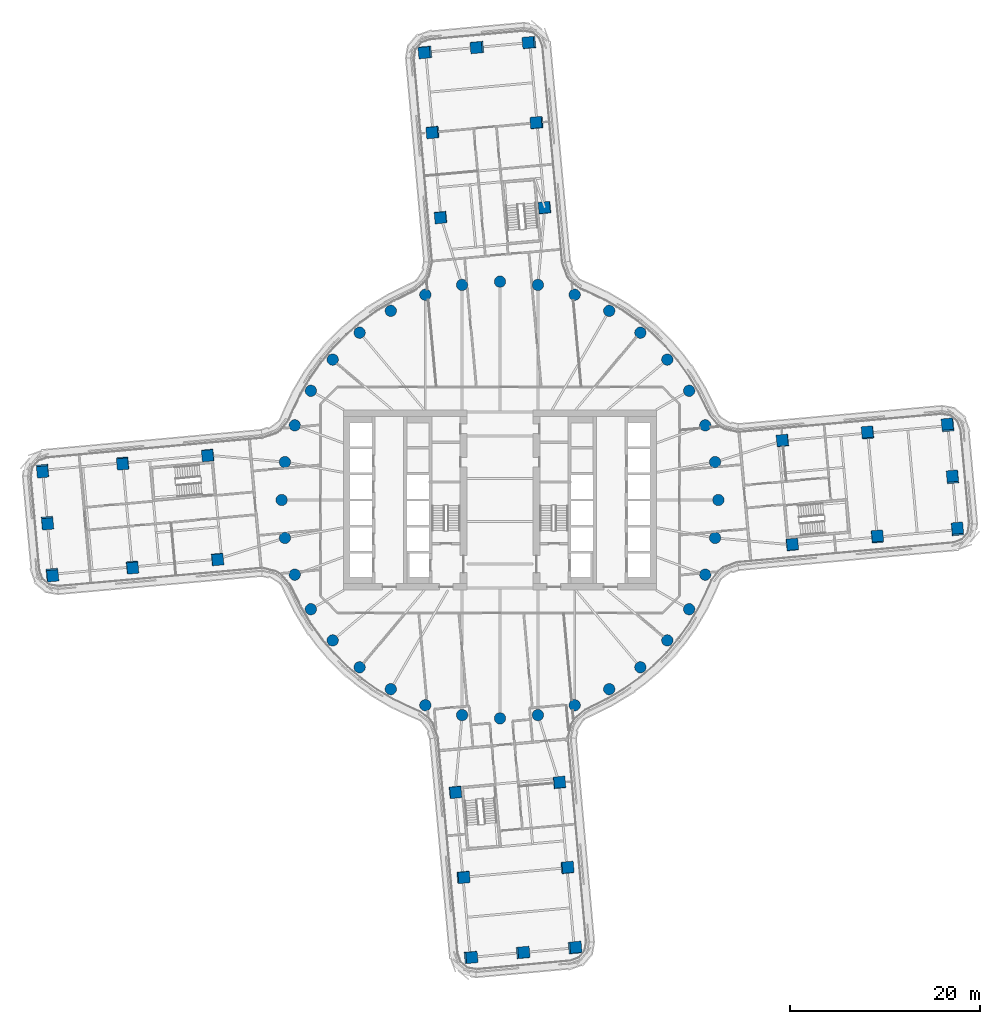
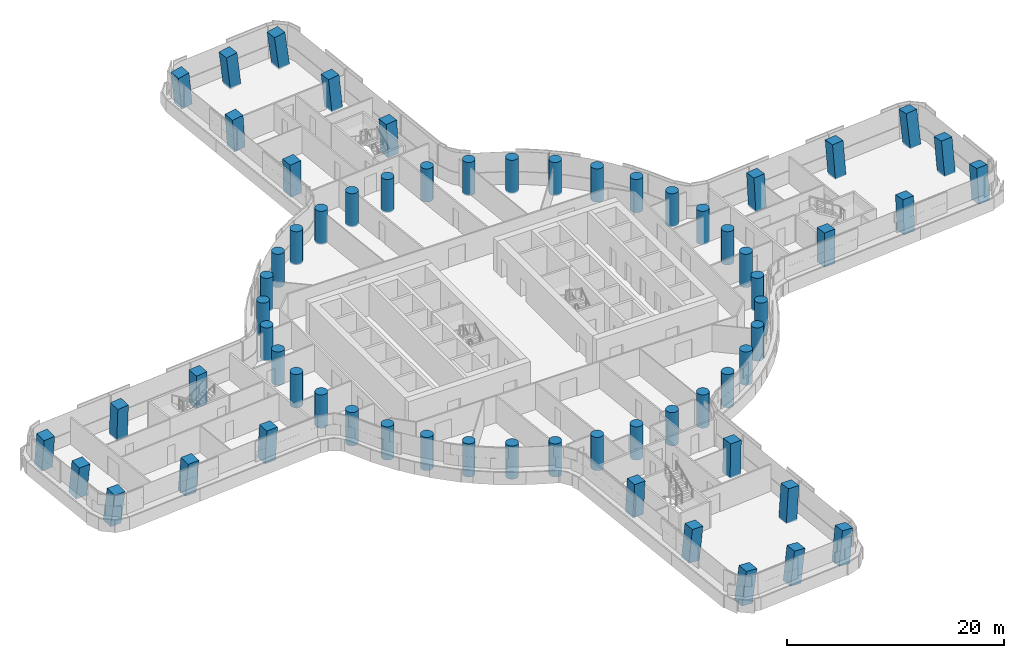
# One storey, part 1 of 31: 64 columns.
"""IFC4 building model written with IfcOpenShell, lengths in metres."""

from ifc_helpers import new_model, si_unit, direction, frame, origin, origin_2d, place, context, subcontext, project, spatial, rectangle, circle, extrude, material, material_profile, profile_set, type_object, element, save


model = new_model("IFC4")

# Units and contexts
model_context = context("Model", 3, precision=1e-05, world=origin(), true_north=direction((0.0, 1.0)))
body_context = subcontext(model_context, "Body", "Model", "MODEL_VIEW")
ifc_project = project(units=[si_unit("LENGTHUNIT", "METRE"), si_unit("AREAUNIT", "SQUARE_METRE"), si_unit("VOLUMEUNIT", "CUBIC_METRE"), si_unit("PLANEANGLEUNIT", "RADIAN"), si_unit("MASSUNIT", "GRAM", prefix="KILO")], contexts=[model_context])

# Site, building, storey
site_placement = place(None, origin())
site = spatial("IfcSite", under=ifc_project, at=site_placement, CompositionType="ELEMENT")
building_placement = place(site_placement, origin())
building = spatial("IfcBuilding", under=site, at=building_placement, Name="Tamarind Cross Interchange Tower", CompositionType="ELEMENT")
storey_placement = place(building_placement, frame((0.0, 0.0, 52.75)))
storey = spatial("IfcBuildingStorey", under=building, at=storey_placement, Name="L11", CompositionType="ELEMENT", Elevation=52.75)

# Columns
ifc_material = material(Name="Concrete C70", Category="concrete")
ifc_material_profile_1 = material_profile(ifc_material, rectangle(XDim=1.199951171875, YDim=1.199951171875, at=origin_2d()), Name="RC 1200x1200")
ifc_profile_set_1 = profile_set([ifc_material_profile_1], Name="Concrete C70")
column_type_1 = type_object("IfcColumnType", Name="Column RC 1200x1200 Concrete C70", PredefinedType="COLUMN", material=ifc_profile_set_1)
for number, where, z_axis, x_axis, name in (
    (1, (38.727294921875, 7.052490234375, -0.138427734375), (-0.034919983071, 0.080679440442, 0.99612821598), (0.089957855691, -0.992436226226, 0.083533951623), "Column L11-036"),
    (2, (39.72900390625, -3.90185546875, -0.138427734375), (0.018108999904, 0.086066429652, 0.99612480835), (-0.995598937777, -0.090071586821, 0.025881737653), "Column L11-037"),
):
    element("IfcColumn", number, at=place(storey_placement, frame(where, z_axis=z_axis, x_axis=x_axis)), inside=storey, type_object=column_type_1, Name=name, PredefinedType="COLUMN", context=body_context, shape_type="SweptSolid", body=[
        extrude(rectangle(XDim=1.199951171875, YDim=1.199951171875, at=origin_2d()), origin(), (0.0, 0.0, 1.0), 3.761474609375),
    ])
for number, where, z_axis, x_axis, name in (
    (3, (29.7646484375, 6.23291015625, -0.138671875), (-0.030585108115, 0.037417951417, 0.998831541389), (0.09018320563, -0.995119970577, 0.040040399357), "Column L11-038"),
    (4, (30.766357421875, -4.721435546875, -0.138671875), (0.022515790485, 0.042819046645, 0.998829098707), (-0.995474349662, -0.091303186433, 0.026354265532), "Column L11-039"),
):
    element("IfcColumn", number, at=place(storey_placement, frame(where, z_axis=z_axis, x_axis=x_axis)), inside=storey, type_object=column_type_1, Name=name, PredefinedType="COLUMN", context=body_context, shape_type="SweptSolid", body=[
        extrude(rectangle(XDim=1.199951171875, YDim=1.199951171875, at=origin_2d()), origin(), (0.0, 0.0, 1.0), 3.751708984375),
    ])
column_1_placement = place(storey_placement, frame((48.16796875, -3.13037109375, -0.138671875), z_axis=(0.004847686704, 0.125393496079, 0.992095242945), x_axis=(-0.995799007524, -0.090111620941, 0.016255226412)))
element("IfcColumn", 5, at=column_1_placement, inside=storey, type_object=column_type_1, Name="Column L11-040", PredefinedType="COLUMN", context=body_context, shape_type="SweptSolid", body=[
    extrude(rectangle(XDim=1.199951171875, YDim=1.199951171875, at=origin_2d()), origin(), (0.0, 0.0, 1.0), 3.777099609375),
])
column_2_placement = place(storey_placement, frame((47.6669921875, 2.346923828125, -0.138427734375), z_axis=(-0.021527624933, 0.122700997367, 0.992210172599), x_axis=(0.08961444308, -0.988208437257, 0.124150457614)))
element("IfcColumn", 6, at=column_2_placement, inside=storey, type_object=column_type_1, Name="Column L11-041", PredefinedType="COLUMN", context=body_context, shape_type="SweptSolid", body=[
    extrude(rectangle(XDim=1.199951171875, YDim=1.199951171875, at=origin_2d()), origin(), (0.0, 0.0, 1.0), 3.7763671875),
])
column_3_placement = place(storey_placement, frame((47.166259765625, 7.823974609375, -0.138427734375), z_axis=(-0.047942547167, 0.120050205709, 0.991609530148), x_axis=(0.088097294404, -0.988374035814, 0.123917843943)))
element("IfcColumn", 7, at=column_3_placement, inside=storey, type_object=column_type_1, Name="Column L11-042", PredefinedType="COLUMN", context=body_context, shape_type="SweptSolid", body=[
    extrude(rectangle(XDim=1.199951171875, YDim=1.199951171875, at=origin_2d()), origin(), (0.0, 0.0, 1.0), 3.778564453125),
])
for number, where, z_axis, x_axis, name in (
    (8, (-7.052490234375, 38.727294921875, -0.138427734375), (-0.080679440442, -0.034919983071, 0.99612821598), (0.992436226226, 0.089957855691, 0.083533951623), "Column L11-043"),
    (9, (3.90185546875, 39.72900390625, -0.138427734375), (-0.086066429652, 0.018108999904, 0.99612480835), (0.090071586821, -0.995598937777, 0.025881737653), "Column L11-044"),
):
    element("IfcColumn", number, at=place(storey_placement, frame(where, z_axis=z_axis, x_axis=x_axis)), inside=storey, type_object=column_type_1, Name=name, PredefinedType="COLUMN", context=body_context, shape_type="SweptSolid", body=[
        extrude(rectangle(XDim=1.199951171875, YDim=1.199951171875, at=origin_2d()), origin(), (0.0, 0.0, 1.0), 3.761474609375),
    ])
for number, where, z_axis, x_axis, name in (
    (10, (-6.23291015625, 29.7646484375, -0.138671875), (-0.037417951417, -0.030585108115, 0.998831541389), (0.995119970577, 0.09018320563, 0.040040399357), "Column L11-045"),
    (11, (4.721435546875, 30.766357421875, -0.138671875), (-0.042819046645, 0.022515790485, 0.998829098707), (0.091303186433, -0.995474349662, 0.026354265532), "Column L11-046"),
):
    element("IfcColumn", number, at=place(storey_placement, frame(where, z_axis=z_axis, x_axis=x_axis)), inside=storey, type_object=column_type_1, Name=name, PredefinedType="COLUMN", context=body_context, shape_type="SweptSolid", body=[
        extrude(rectangle(XDim=1.199951171875, YDim=1.199951171875, at=origin_2d()), origin(), (0.0, 0.0, 1.0), 3.751708984375),
    ])
column_4_placement = place(storey_placement, frame((3.13037109375, 48.16796875, -0.138671875), z_axis=(-0.125393496079, 0.004847686704, 0.992095242945), x_axis=(0.090111620941, -0.995799007524, 0.016255226412)))
element("IfcColumn", 12, at=column_4_placement, inside=storey, type_object=column_type_1, Name="Column L11-047", PredefinedType="COLUMN", context=body_context, shape_type="SweptSolid", body=[
    extrude(rectangle(XDim=1.199951171875, YDim=1.199951171875, at=origin_2d()), origin(), (0.0, 0.0, 1.0), 3.777099609375),
])
column_5_placement = place(storey_placement, frame((-2.346923828125, 47.6669921875, -0.138427734375), z_axis=(-0.122700997367, -0.021527624933, 0.992210172599), x_axis=(0.988208437257, 0.08961444308, 0.124150457614)))
element("IfcColumn", 13, at=column_5_placement, inside=storey, type_object=column_type_1, Name="Column L11-048", PredefinedType="COLUMN", context=body_context, shape_type="SweptSolid", body=[
    extrude(rectangle(XDim=1.199951171875, YDim=1.199951171875, at=origin_2d()), origin(), (0.0, 0.0, 1.0), 3.7763671875),
])
column_6_placement = place(storey_placement, frame((-7.823974609375, 47.166259765625, -0.138427734375), z_axis=(-0.120050205709, -0.047942547167, 0.991609530148), x_axis=(0.988374035814, 0.088097294404, 0.123917843943)))
element("IfcColumn", 14, at=column_6_placement, inside=storey, type_object=column_type_1, Name="Column L11-049", PredefinedType="COLUMN", context=body_context, shape_type="SweptSolid", body=[
    extrude(rectangle(XDim=1.199951171875, YDim=1.199951171875, at=origin_2d()), origin(), (0.0, 0.0, 1.0), 3.778564453125),
])
for number, where, z_axis, x_axis, name in (
    (15, (-38.727294921875, -7.052490234375, -0.138427734375), (0.034919983071, -0.080679440442, 0.99612821598), (-0.089957855691, 0.992436226226, 0.083533951623), "Column L11-050"),
    (16, (-39.72900390625, 3.90185546875, -0.138427734375), (-0.018108999904, -0.086066429652, 0.99612480835), (0.995598937777, 0.090071586821, 0.025881737653), "Column L11-051"),
):
    element("IfcColumn", number, at=place(storey_placement, frame(where, z_axis=z_axis, x_axis=x_axis)), inside=storey, type_object=column_type_1, Name=name, PredefinedType="COLUMN", context=body_context, shape_type="SweptSolid", body=[
        extrude(rectangle(XDim=1.199951171875, YDim=1.199951171875, at=origin_2d()), origin(), (0.0, 0.0, 1.0), 3.761474609375),
    ])
for number, where, z_axis, x_axis, name in (
    (17, (-29.7646484375, -6.23291015625, -0.138671875), (0.030585108115, -0.037417951417, 0.998831541389), (-0.09018320563, 0.995119970577, 0.040040399357), "Column L11-052"),
    (18, (-30.766357421875, 4.721435546875, -0.138671875), (-0.022515790485, -0.042819046645, 0.998829098707), (0.995474349662, 0.091303186433, 0.026354265532), "Column L11-053"),
):
    element("IfcColumn", number, at=place(storey_placement, frame(where, z_axis=z_axis, x_axis=x_axis)), inside=storey, type_object=column_type_1, Name=name, PredefinedType="COLUMN", context=body_context, shape_type="SweptSolid", body=[
        extrude(rectangle(XDim=1.199951171875, YDim=1.199951171875, at=origin_2d()), origin(), (0.0, 0.0, 1.0), 3.751708984375),
    ])
column_7_placement = place(storey_placement, frame((-48.16796875, 3.13037109375, -0.138671875), z_axis=(-0.004847686704, -0.125393496079, 0.992095242945), x_axis=(0.995799007524, 0.090111620941, 0.016255226412)))
element("IfcColumn", 19, at=column_7_placement, inside=storey, type_object=column_type_1, Name="Column L11-054", PredefinedType="COLUMN", context=body_context, shape_type="SweptSolid", body=[
    extrude(rectangle(XDim=1.199951171875, YDim=1.199951171875, at=origin_2d()), origin(), (0.0, 0.0, 1.0), 3.777099609375),
])
column_8_placement = place(storey_placement, frame((-47.6669921875, -2.346923828125, -0.138427734375), z_axis=(0.021527624933, -0.122700997367, 0.992210172599), x_axis=(-0.08961444308, 0.988208437257, 0.124150457614)))
element("IfcColumn", 20, at=column_8_placement, inside=storey, type_object=column_type_1, Name="Column L11-055", PredefinedType="COLUMN", context=body_context, shape_type="SweptSolid", body=[
    extrude(rectangle(XDim=1.199951171875, YDim=1.199951171875, at=origin_2d()), origin(), (0.0, 0.0, 1.0), 3.7763671875),
])
column_9_placement = place(storey_placement, frame((-47.166259765625, -7.823974609375, -0.138427734375), z_axis=(0.047942547167, -0.120050205709, 0.991609530148), x_axis=(-0.088097294404, 0.988374035814, 0.123917843943)))
element("IfcColumn", 21, at=column_9_placement, inside=storey, type_object=column_type_1, Name="Column L11-056", PredefinedType="COLUMN", context=body_context, shape_type="SweptSolid", body=[
    extrude(rectangle(XDim=1.199951171875, YDim=1.199951171875, at=origin_2d()), origin(), (0.0, 0.0, 1.0), 3.778564453125),
])
for number, where, z_axis, x_axis, name in (
    (22, (7.052490234375, -38.727294921875, -0.138427734375), (0.080679440442, 0.034919983071, 0.99612821598), (-0.992436226226, -0.089957855691, 0.083533951623), "Column L11-057"),
    (23, (-3.90185546875, -39.72900390625, -0.138427734375), (0.086066429652, -0.018108999904, 0.99612480835), (-0.090071586821, 0.995598937777, 0.025881737653), "Column L11-058"),
):
    element("IfcColumn", number, at=place(storey_placement, frame(where, z_axis=z_axis, x_axis=x_axis)), inside=storey, type_object=column_type_1, Name=name, PredefinedType="COLUMN", context=body_context, shape_type="SweptSolid", body=[
        extrude(rectangle(XDim=1.199951171875, YDim=1.199951171875, at=origin_2d()), origin(), (0.0, 0.0, 1.0), 3.761474609375),
    ])
for number, where, z_axis, x_axis, name in (
    (24, (6.23291015625, -29.7646484375, -0.138671875), (0.037417951417, 0.030585108115, 0.998831541389), (-0.995119970577, -0.09018320563, 0.040040399357), "Column L11-059"),
    (25, (-4.721435546875, -30.766357421875, -0.138671875), (0.042819046645, -0.022515790485, 0.998829098707), (-0.091303186433, 0.995474349662, 0.026354265532), "Column L11-060"),
):
    element("IfcColumn", number, at=place(storey_placement, frame(where, z_axis=z_axis, x_axis=x_axis)), inside=storey, type_object=column_type_1, Name=name, PredefinedType="COLUMN", context=body_context, shape_type="SweptSolid", body=[
        extrude(rectangle(XDim=1.199951171875, YDim=1.199951171875, at=origin_2d()), origin(), (0.0, 0.0, 1.0), 3.751708984375),
    ])
column_10_placement = place(storey_placement, frame((-3.13037109375, -48.16796875, -0.138671875), z_axis=(0.125393496079, -0.004847686704, 0.992095242945), x_axis=(-0.090111620941, 0.995799007524, 0.016255226412)))
element("IfcColumn", 26, at=column_10_placement, inside=storey, type_object=column_type_1, Name="Column L11-061", PredefinedType="COLUMN", context=body_context, shape_type="SweptSolid", body=[
    extrude(rectangle(XDim=1.199951171875, YDim=1.199951171875, at=origin_2d()), origin(), (0.0, 0.0, 1.0), 3.777099609375),
])
column_11_placement = place(storey_placement, frame((2.346923828125, -47.6669921875, -0.138427734375), z_axis=(0.122700997367, 0.021527624933, 0.992210172599), x_axis=(-0.988208437257, -0.08961444308, 0.124150457614)))
element("IfcColumn", 27, at=column_11_placement, inside=storey, type_object=column_type_1, Name="Column L11-062", PredefinedType="COLUMN", context=body_context, shape_type="SweptSolid", body=[
    extrude(rectangle(XDim=1.199951171875, YDim=1.199951171875, at=origin_2d()), origin(), (0.0, 0.0, 1.0), 3.7763671875),
])
column_12_placement = place(storey_placement, frame((7.823974609375, -47.166259765625, -0.138427734375), z_axis=(0.120050205709, 0.047942547167, 0.991609530148), x_axis=(-0.988374035814, -0.088097294404, 0.123917843943)))
element("IfcColumn", 28, at=column_12_placement, inside=storey, type_object=column_type_1, Name="Column L11-063", PredefinedType="COLUMN", context=body_context, shape_type="SweptSolid", body=[
    extrude(rectangle(XDim=1.199951171875, YDim=1.199951171875, at=origin_2d()), origin(), (0.0, 0.0, 1.0), 3.778564453125),
])
ifc_material_profile_2 = material_profile(ifc_material, circle(Radius=0.60009765625, at=origin_2d()), Name="RC D1200")
ifc_profile_set_2 = profile_set([ifc_material_profile_2], Name="Concrete C70")
column_type_2 = type_object("IfcColumnType", Name="Column RC D1200 Concrete C70", PredefinedType="COLUMN", material=ifc_profile_set_2)
for number, where, z_axis, x_axis, name in (
    (29, (23.0, 0.0, -0.139892578125), (0.0, 0.0, 1.0), (1.0, 0.0, 0.0), "Column L11-000"),
    (30, (22.650634765625, 3.993896484375, -0.139892578125), (0.0, 0.0, 1.0), (1.0, 0.0, 0.0), "Column L11-001"),
    (31, (21.613037109375, 7.866455078125, -0.139892578125), (0.0, 0.0, 1.0), (1.0, 0.0, 0.0), "Column L11-002"),
    (32, (19.918701171875, 11.5, -0.139892578125), (0.0, 0.0, 1.0), (1.0, 0.0, 0.0), "Column L11-003"),
    (33, (17.619140625, 14.7841796875, -0.139892578125), (0.0, 0.0, 1.0), (1.0, 0.0, 0.0), "Column L11-004"),
    (34, (14.7841796875, 17.619140625, -0.139892578125), (0.0, 0.0, 1.0), (1.0, 0.0, 0.0), "Column L11-005"),
    (35, (11.5, 19.918701171875, -0.139892578125), (0.0, 0.0, 1.0), (1.0, 0.0, 0.0), "Column L11-006"),
    (36, (7.866455078125, 21.613037109375, -0.139892578125), (0.0, 0.0, 1.0), (1.0, 0.0, 0.0), "Column L11-007"),
    (37, (3.993896484375, 22.650634765625, -0.139892578125), (0.0, 0.0, 1.0), (1.0, 0.0, 0.0), "Column L11-008"),
    (38, (0.0, 23.0, -0.139892578125), (0.0, 0.0, 1.0), (1.0, 0.0, 0.0), "Column L11-009"),
    (39, (-3.993896484375, 22.650634765625, -0.139892578125), (0.0, 0.0, 1.0), (1.0, 0.0, 0.0), "Column L11-010"),
    (40, (-7.866455078125, 21.613037109375, -0.139892578125), (0.0, 0.0, 1.0), (1.0, 0.0, 0.0), "Column L11-011"),
    (41, (-11.5, 19.918701171875, -0.139892578125), (0.0, 0.0, 1.0), (1.0, 0.0, 0.0), "Column L11-012"),
    (42, (-14.7841796875, 17.619140625, -0.139892578125), (0.0, 0.0, 1.0), (1.0, 0.0, 0.0), "Column L11-013"),
    (43, (-17.619140625, 14.7841796875, -0.139892578125), (0.0, 0.0, 1.0), (1.0, 0.0, 0.0), "Column L11-014"),
    (44, (-19.918701171875, 11.5, -0.139892578125), (0.0, 0.0, 1.0), (1.0, 0.0, 0.0), "Column L11-015"),
    (45, (-21.613037109375, 7.866455078125, -0.139892578125), (0.0, 0.0, 1.0), (1.0, 0.0, 0.0), "Column L11-016"),
    (46, (-22.650634765625, 3.993896484375, -0.139892578125), (0.0, 0.0, 1.0), (1.0, 0.0, 0.0), "Column L11-017"),
    (47, (-23.0, 0.0, -0.139892578125), (0.0, 0.0, 1.0), (1.0, 0.0, 0.0), "Column L11-018"),
    (48, (-22.650634765625, -3.993896484375, -0.139892578125), (0.0, 0.0, 1.0), (1.0, 0.0, 0.0), "Column L11-019"),
    (49, (-21.613037109375, -7.866455078125, -0.139892578125), (0.0, 0.0, 1.0), (1.0, 0.0, 0.0), "Column L11-020"),
    (50, (-19.918701171875, -11.5, -0.139892578125), (0.0, 0.0, 1.0), (1.0, 0.0, 0.0), "Column L11-021"),
    (51, (-17.619140625, -14.7841796875, -0.139892578125), (0.0, 0.0, 1.0), (1.0, 0.0, 0.0), "Column L11-022"),
    (52, (-14.7841796875, -17.619140625, -0.139892578125), (0.0, 0.0, 1.0), (1.0, 0.0, 0.0), "Column L11-023"),
    (53, (-11.5, -19.918701171875, -0.139892578125), (0.0, 0.0, 1.0), (1.0, 0.0, 0.0), "Column L11-024"),
    (54, (-7.866455078125, -21.613037109375, -0.139892578125), (0.0, 0.0, 1.0), (1.0, 0.0, 0.0), "Column L11-025"),
    (55, (-3.993896484375, -22.650634765625, -0.139892578125), (0.0, 0.0, 1.0), (1.0, 0.0, 0.0), "Column L11-026"),
    (56, (0.0, -23.0, -0.139892578125), (0.0, 0.0, 1.0), (1.0, 0.0, 0.0), "Column L11-027"),
    (57, (3.993896484375, -22.650634765625, -0.139892578125), (0.0, 0.0, 1.0), (1.0, 0.0, 0.0), "Column L11-028"),
    (58, (7.866455078125, -21.613037109375, -0.139892578125), (0.0, 0.0, 1.0), (1.0, 0.0, 0.0), "Column L11-029"),
    (59, (11.5, -19.918701171875, -0.139892578125), (0.0, 0.0, 1.0), (1.0, 0.0, 0.0), "Column L11-030"),
    (60, (14.7841796875, -17.619140625, -0.139892578125), (0.0, 0.0, 1.0), (1.0, 0.0, 0.0), "Column L11-031"),
    (61, (17.619140625, -14.7841796875, -0.139892578125), (0.0, 0.0, 1.0), (1.0, 0.0, 0.0), "Column L11-032"),
    (62, (19.918701171875, -11.5, -0.139892578125), (0.0, 0.0, 1.0), (1.0, 0.0, 0.0), "Column L11-033"),
    (63, (21.613037109375, -7.866455078125, -0.139892578125), (0.0, 0.0, 1.0), (1.0, 0.0, 0.0), "Column L11-034"),
    (64, (22.650634765625, -3.993896484375, -0.139892578125), (0.0, 0.0, 1.0), (1.0, 0.0, 0.0), "Column L11-035"),
):
    element("IfcColumn", number, at=place(storey_placement, frame(where, z_axis=z_axis, x_axis=x_axis)), inside=storey, type_object=column_type_2, Name=name, PredefinedType="COLUMN", context=body_context, shape_type="SweptSolid", body=[
        extrude(circle(Radius=0.60009765625, at=origin_2d()), origin(), (0.0, 0.0, 1.0), 3.75),
    ])

save(model, "model.ifc")
